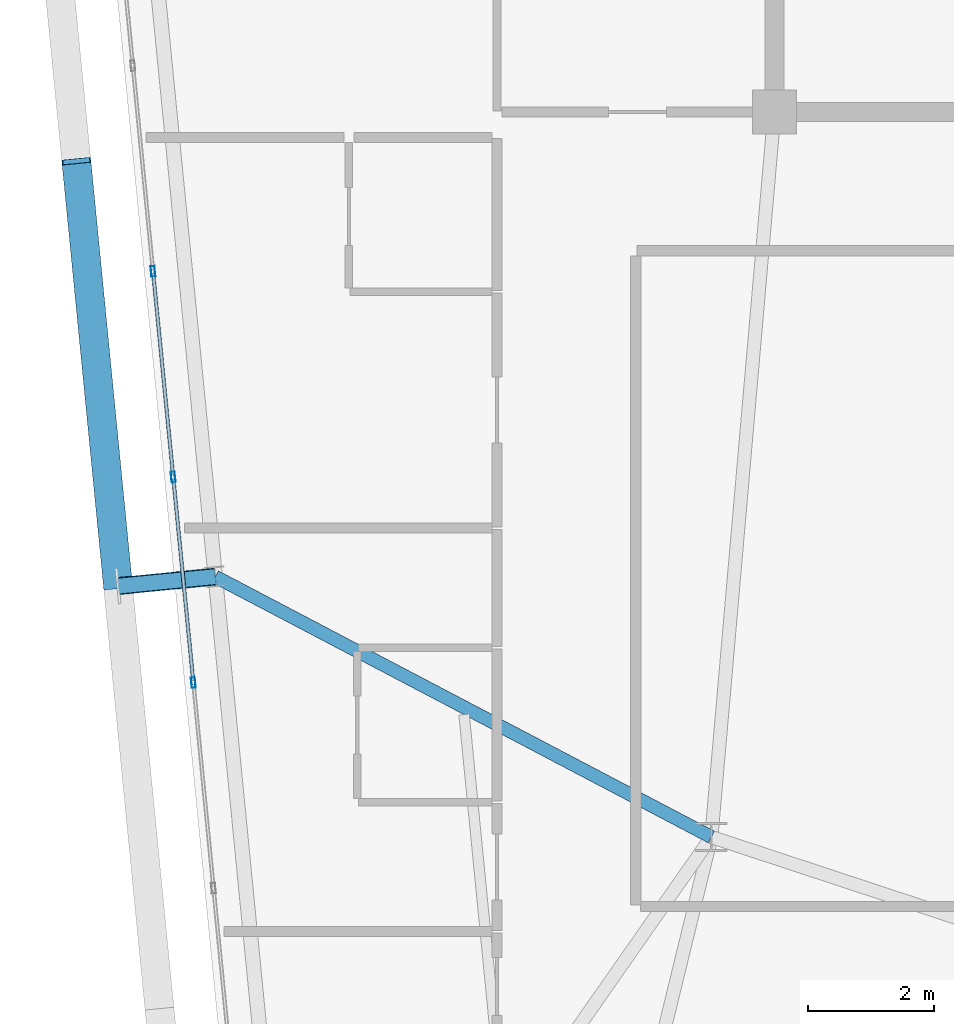
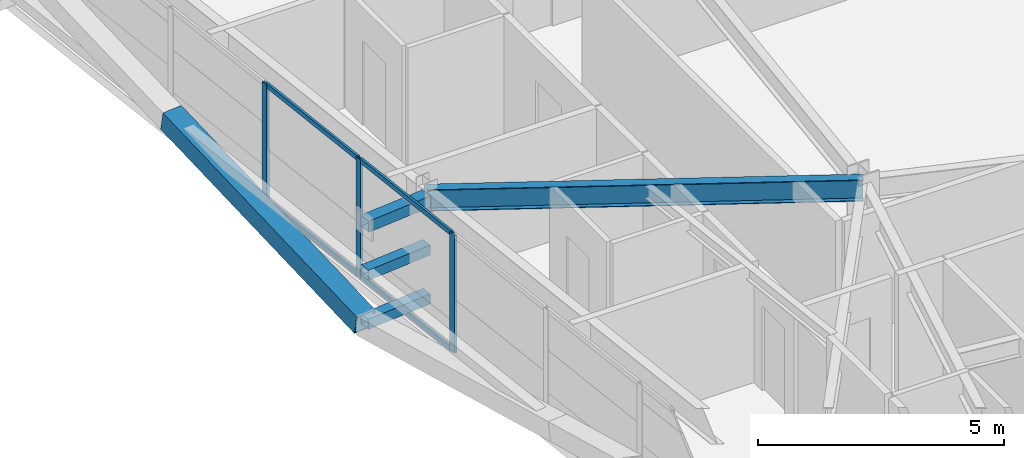
# One storey, part 13 of 53: 11 members, 1 beam, 1 element without a shape of its own.
"""IFC4 building model written with IfcOpenShell, lengths in metres."""

from ifc_helpers import new_model, si_unit, direction, frame, origin, origin_2d, place, context, subcontext, project, spatial, hollow_rectangle, i_section, extrude, source, transform, mapped, material, layer, layer_set, material_profile, profile_set, type_object, element, aggregate, save


model = new_model("IFC4")

# Units and contexts
model_context = context("Model", 3, precision=1e-05, world=origin(), true_north=direction((0.0, 1.0)))
body_context = subcontext(model_context, "Body", "Model", "MODEL_VIEW")
ifc_project = project(units=[si_unit("LENGTHUNIT", "METRE"), si_unit("AREAUNIT", "SQUARE_METRE"), si_unit("VOLUMEUNIT", "CUBIC_METRE"), si_unit("PLANEANGLEUNIT", "RADIAN"), si_unit("MASSUNIT", "GRAM", prefix="KILO")], contexts=[model_context])

# Site, building, storey
site_placement = place(None, origin())
site = spatial("IfcSite", under=ifc_project, at=site_placement, CompositionType="ELEMENT")
building_placement = place(site_placement, origin())
building = spatial("IfcBuilding", under=site, at=building_placement, Name="Taldren Reach Tower", CompositionType="ELEMENT")
storey_placement = place(building_placement, frame((0.0, 0.0, 84.0)))
storey = spatial("IfcBuildingStorey", under=building, at=storey_placement, Name="L25", CompositionType="ELEMENT", Elevation=84.0)

# Beam
ifc_material_1 = material(Name="Steel Gr 350 (350PLUS)", Category="steel")
ifc_material_profile_1 = material_profile(ifc_material_1, i_section(OverallWidth=0.208984375, OverallDepth=0.532958984375, WebThickness=0.01025390625, FlangeThickness=0.015625, at=origin_2d()), Name="530UB92.4")
ifc_profile_set_1 = profile_set([ifc_material_profile_1], Name="Steel Gr 350 (350PLUS)")
beam_type = type_object("IfcBeamType", Name="BM-UB530A", PredefinedType="BEAM", material=ifc_profile_set_1)
shared_shape_1 = source(origin(), body_context, "Body", "SweptSolid", [
    extrude(i_section(OverallWidth=0.208984375, OverallDepth=0.532958984375, WebThickness=0.01025390625, FlangeThickness=0.015625, at=origin_2d()), origin(), (0.0, 0.0, 1.0), 8.8876953125),
])
beam_placement = place(storey_placement, frame((18.0, 12.5, 2.66357421875), z_axis=(-0.885412881876, 0.464805366371, 0.0), x_axis=(-0.464805366371, -0.885412881876, 0.0)))
element("IfcBeam", 1, at=beam_placement, inside=storey, type_object=beam_type, Name="Primary floor girder B2-W2 L25", PredefinedType="BEAM", context=body_context, shape_type="MappedRepresentation", body=[
    mapped(shared_shape_1, transform((0.0, 0.0, 0.0), scale=1.0)),
])

# Members
ifc_material_2 = material(Name="Steel Gr 450 (C450L0)", Category="steel")
ifc_material_profile_2 = material_profile(ifc_material_2, hollow_rectangle(XDim=0.27490234375, YDim=0.27490234375, WallThickness=0.00927734375, at=origin_2d()), Name="275x275x9.3SHS")
ifc_profile_set_2 = profile_set([ifc_material_profile_2], Name="Steel Gr 450 (C450L0)")
member_type_1 = type_object("IfcMemberType", Name="MB-TIE273", PredefinedType="STRUT", material=ifc_profile_set_2)
shared_shape_2 = source(origin(), body_context, "Body", "SweptSolid", [
    extrude(hollow_rectangle(XDim=0.27490234375, YDim=0.27490234375, WallThickness=0.00927734375, at=origin_2d()), origin(), (0.0, 0.0, 1.0), 1.550048828125),
])
member_1_placement = place(storey_placement, frame((10.130615234375, 16.631103515625, 2.64990234375), z_axis=(-0.9952210252, -0.097647892962, 0.0), x_axis=(0.097647892962, -0.9952210252, 0.0)))
element("IfcMember", 2, at=member_1_placement, inside=storey, type_object=member_type_1, Name="Exoskeleton diaphragm tie strut B2-W2 L25", PredefinedType="STRUT", context=body_context, shape_type="MappedRepresentation", body=[
    mapped(shared_shape_2, transform((0.0, 0.0, 0.0), scale=1.0)),
])
ifc_material_3 = material(Name="Steel Gr 350 (C350L0)", Category="steel")
ifc_material_profile_3 = material_profile(ifc_material_3, hollow_rectangle(XDim=0.25, YDim=0.25, WallThickness=0.010009765625, at=origin_2d()), Name="250x250x10.0SHS")
ifc_profile_set_3 = profile_set([ifc_material_profile_3], Name="Steel Gr 350 (C350L0)")
member_type_2 = type_object("IfcMemberType", Name="MB-POST250", PredefinedType="POST", material=ifc_profile_set_3)
shared_shape_3 = source(origin(), body_context, "Body", "SweptSolid", [
    extrude(hollow_rectangle(XDim=0.25, YDim=0.25, WallThickness=0.010009765625, at=origin_2d()), origin(), (0.0, 0.0, 1.0), 1.550048828125),
])
for number, where, z_axis, x_axis, name in (
    (3, (10.130615234375, 16.631103515625, 0.219970703125), (-0.9952210252, -0.097647892962, 0.0), (0.097647892962, -0.9952210252, 0.0), "Exoskeleton base diaphragm tie strut B2-W2 L25"),
    (4, (10.130615234375, 16.631103515625, 1.43505859375), (-0.9952210252, -0.097647892962, 0.0), (0.097647892962, -0.9952210252, 0.0), "Exoskeleton mid-tier diaphragm tie B2-W2 L25"),
):
    element("IfcMember", number, at=place(storey_placement, frame(where, z_axis=z_axis, x_axis=x_axis)), inside=storey, type_object=member_type_2, Name=name, PredefinedType="POST", context=body_context, shape_type="MappedRepresentation", body=[
        mapped(shared_shape_3, transform((0.0, 0.0, 0.0), scale=1.0)),
    ])
ifc_material_profile_4 = material_profile(ifc_material_2, hollow_rectangle(XDim=0.4599609375, YDim=0.4599609375, WallThickness=0.01611328125, at=origin_2d()), Name="460x460x16.0SHS")
ifc_profile_set_4 = profile_set([ifc_material_profile_4], Name="Steel Gr 450 (C450L0)")
member_type_3 = type_object("IfcMemberType", Name="MB-EXO457", PredefinedType="BRACE", material=ifc_profile_set_4)
shared_shape_4 = source(origin(), body_context, "Body", "SweptSolid", [
    extrude(hollow_rectangle(XDim=0.4599609375, YDim=0.4599609375, WallThickness=0.01611328125, at=origin_2d()), origin(), (0.0, 0.0, 1.0), 6.883056640625),
])
member_2_placement = place(storey_placement, frame((8.587890625, 16.479736328125, 0.219970703125), z_axis=(-0.09605145821, 0.97959718347, 0.176531797456), x_axis=(-0.995227290009, -0.097584021339, 0.0)))
element("IfcMember", 5, at=member_2_placement, inside=storey, type_object=member_type_3, Name="Exoskeleton Diagrid Brace B2-W2 L25", PredefinedType="BRACE", context=body_context, shape_type="MappedRepresentation", body=[
    mapped(shared_shape_4, transform((0.0, 0.0, 0.0), scale=1.0)),
])

# Curtain wall, members
ifc_material_4 = material(Name="Aluminium and Low-E Glass Unitised System", Category="aluminium")
ifc_layer = layer(ifc_material_4, 0.159912109375)
ifc_layer_set = layer_set([ifc_layer], Name="Aluminium and Low-E Glass Unitised System")
curtain_wall_type = type_object("IfcCurtainWallType", Name="CW-SYS-3", PredefinedType="NOTDEFINED", material=ifc_layer_set)
curtain_wall_placement = place(storey_placement, origin())
curtain_wall = element("IfcCurtainWall", 6, at=curtain_wall_placement, inside=storey, type_object=curtain_wall_type, Name="Unitised curtain wall CW-L25-W", PredefinedType="NOTDEFINED")
ifc_material_5 = material(Name="Anodised Aluminium 6063-T6", Category="aluminium")
ifc_material_profile_5 = material_profile(ifc_material_5, hollow_rectangle(XDim=0.06494140625, YDim=0.1650390625, WallThickness=0.00390625, at=origin_2d()), Name="ALU-165x65x4RHS")
ifc_profile_set_5 = profile_set([ifc_material_profile_5], Name="Anodised Aluminium 6063-T6")
member_type_4 = type_object("IfcMemberType", Name="CW-MUL-165", PredefinedType="MULLION", material=ifc_profile_set_5)
shared_shape_5 = source(origin(), body_context, "Body", "SweptSolid", [
    extrude(hollow_rectangle(XDim=0.06494140625, YDim=0.1650390625, WallThickness=0.00390625, at=origin_2d()), origin(), (0.0, 0.0, 1.0), 2.929931640625),
])
member_3_placement = place(storey_placement, frame((9.14306640625, 21.474609375, 0.0), z_axis=(0.0, 0.0, 1.0), x_axis=(0.99522741555, 0.09758274098, 0.0)))
member_3 = element("IfcMember", 7, at=member_3_placement, type_object=member_type_4, Name="CW-3 mullion 4", PredefinedType="MULLION", context=body_context, shape_type="MappedRepresentation", body=[
    mapped(shared_shape_5, transform((0.0, 0.0, 0.0), scale=1.0)),
])
member_4_placement = place(storey_placement, frame((9.463134765625, 18.21240234375, 0.0), z_axis=(0.0, 0.0, 1.0), x_axis=(0.99522741555, 0.09758274098, 0.0)))
member_4 = element("IfcMember", 8, at=member_4_placement, type_object=member_type_4, Name="CW-3 mullion 5", PredefinedType="MULLION", context=body_context, shape_type="MappedRepresentation", body=[
    mapped(shared_shape_5, transform((0.0, 0.0, 0.0), scale=1.0)),
])
member_5_placement = place(storey_placement, frame((9.782958984375, 14.9501953125, 0.0), z_axis=(0.0, 0.0, 1.0), x_axis=(0.99522741555, 0.09758274098, 0.0)))
member_5 = element("IfcMember", 9, at=member_5_placement, type_object=member_type_4, Name="CW-3 mullion 6", PredefinedType="MULLION", context=body_context, shape_type="MappedRepresentation", body=[
    mapped(shared_shape_5, transform((0.0, 0.0, 0.0), scale=1.0)),
])
ifc_material_profile_6 = material_profile(ifc_material_5, hollow_rectangle(XDim=0.054931640625, YDim=0.1201171875, WallThickness=0.0029296875, at=origin_2d()), Name="ALU-120x55x3RHS")
ifc_profile_set_6 = profile_set([ifc_material_profile_6], Name="Anodised Aluminium 6063-T6")
member_type_5 = type_object("IfcMemberType", Name="CW-TRN-135", PredefinedType="USERDEFINED", material=ifc_profile_set_6)
shared_shape_6 = source(origin(), body_context, "Body", "SweptSolid", [
    extrude(hollow_rectangle(XDim=0.054931640625, YDim=0.1201171875, WallThickness=0.0029296875, at=origin_2d()), origin(), (0.0, 0.0, 1.0), 3.212890625),
])
member_6_placement = place(storey_placement, frame((9.46630859375, 18.18017578125, 0.027587890625), z_axis=(0.097569948235, -0.995228669805, 0.0), x_axis=(0.995228669805, 0.097569948235, 0.0)))
member_6 = element("IfcMember", 10, at=member_6_placement, type_object=member_type_5, Name="CW-3 transom 5.1", ObjectType="TRANSOM", PredefinedType="USERDEFINED", context=body_context, shape_type="MappedRepresentation", body=[
    mapped(shared_shape_6, transform((0.0, 0.0, 0.0), scale=1.0)),
])
member_7_placement = place(storey_placement, frame((9.46630859375, 18.18017578125, 2.902587890625), z_axis=(0.097569948235, -0.995228669805, 0.0), x_axis=(0.995228669805, 0.097569948235, 0.0)))
member_7 = element("IfcMember", 11, at=member_7_placement, type_object=member_type_5, Name="CW-3 transom 5.2", ObjectType="TRANSOM", PredefinedType="USERDEFINED", context=body_context, shape_type="MappedRepresentation", body=[
    mapped(shared_shape_6, transform((0.0, 0.0, 0.0), scale=1.0)),
])
shared_shape_7 = source(origin(), body_context, "Body", "SweptSolid", [
    extrude(hollow_rectangle(XDim=0.054931640625, YDim=0.1201171875, WallThickness=0.0029296875, at=origin_2d()), origin(), (0.0, 0.0, 1.0), 3.212646484375),
])
member_8_placement = place(storey_placement, frame((9.146240234375, 21.442138671875, 0.027587890625), z_axis=(0.097652598057, -0.99522056354, 0.0), x_axis=(0.99522056354, 0.097652598057, 0.0)))
member_8 = element("IfcMember", 12, at=member_8_placement, type_object=member_type_5, Name="CW-3 transom 4.1", ObjectType="TRANSOM", PredefinedType="USERDEFINED", context=body_context, shape_type="MappedRepresentation", body=[
    mapped(shared_shape_7, transform((0.0, 0.0, 0.0), scale=1.0)),
])
member_9_placement = place(storey_placement, frame((9.146240234375, 21.442138671875, 2.902587890625), z_axis=(0.097652598057, -0.99522056354, 0.0), x_axis=(0.99522056354, 0.097652598057, 0.0)))
member_9 = element("IfcMember", 13, at=member_9_placement, type_object=member_type_5, Name="CW-3 transom 4.2", ObjectType="TRANSOM", PredefinedType="USERDEFINED", context=body_context, shape_type="MappedRepresentation", body=[
    mapped(shared_shape_7, transform((0.0, 0.0, 0.0), scale=1.0)),
])
aggregate(curtain_wall, [member_3, member_4, member_5, member_8, member_9, member_6, member_7])

save(model, "model.ifc")
